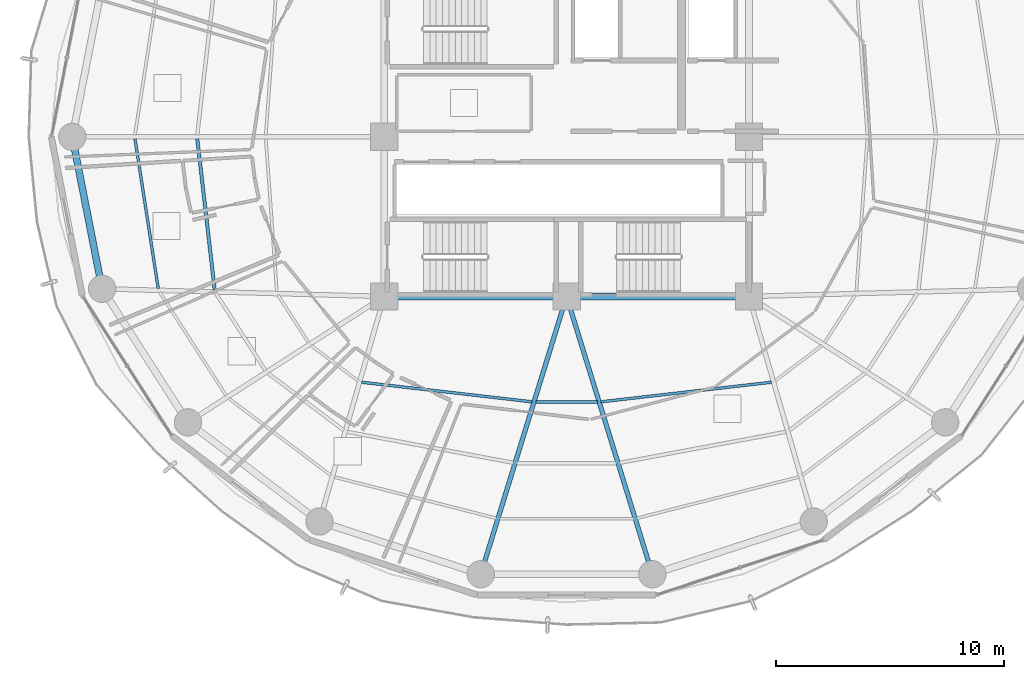
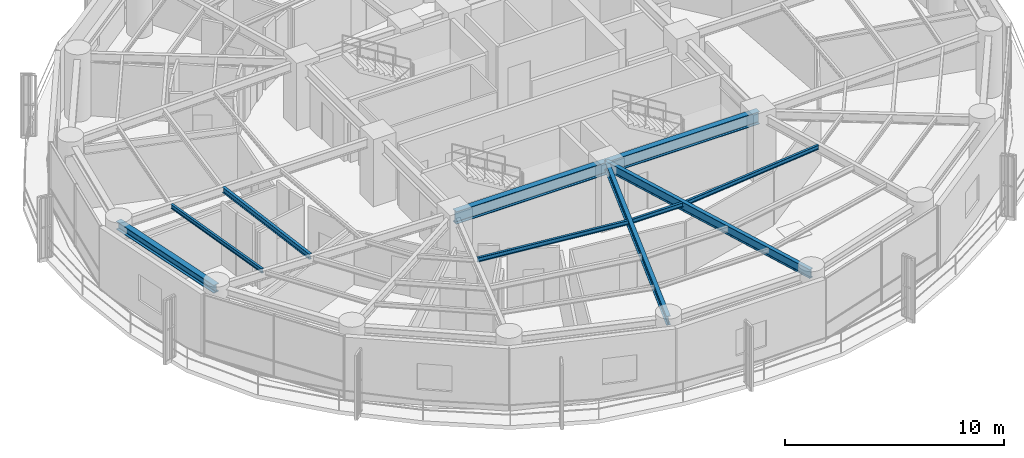
# One storey, part 5 of 27: 10 beams.
"""IFC4 building model written with IfcOpenShell, lengths in metres."""

import ifcopenshell
import ifcopenshell.guid

model = None  # the IFC model being written
_history = None  # IfcOwnerHistory: only IFC2X3 demands one
_inside = {}  # id of a spatial element -> (the spatial element, [elements in it])
_under = {}  # id of a project, library or spatial element -> (it, [spatial elements below it])
_declared = {}  # id of a project -> (the project, [libraries it declares])
_typed = {}  # id of a type object -> (the type object, [elements of that type])
_made_of = {}  # id of a material, layer set ... -> (it, [elements and type objects made of it])


def new_model(schema):
    """Start an empty IFC model of exactly this schema.

    Asked for "IFC4X3", IfcOpenShell would pick the latest addendum, in which some entities
    have other attributes; the version numbers below select the first issue.
    IFC2X3 requires an IfcOwnerHistory on every rooted entity: one is made here for all.
    """
    global model, _history
    if schema == "IFC4X3":
        model = ifcopenshell.file(schema_version=(4, 3, 0, 0))
    else:
        model = ifcopenshell.file(schema=schema)
    _inside.clear()
    _under.clear()
    _declared.clear()
    _typed.clear()
    _made_of.clear()
    _history = None
    if model.schema == "IFC2X3":
        org = make("IfcOrganization", Name="unknown")
        user = make(
            "IfcPersonAndOrganization",
            ThePerson=make("IfcPerson", FamilyName="unknown"),
            TheOrganization=org,
        )
        app = make(
            "IfcApplication",
            ApplicationDeveloper=org,
            Version="unknown",
            ApplicationFullName="unknown",
            ApplicationIdentifier="unknown",
        )
        _history = make(
            "IfcOwnerHistory",
            OwningUser=user,
            OwningApplication=app,
            ChangeAction="ADDED",
            CreationDate=0,
        )
    return model


def make(cls, **values):
    """One entity of the class cls with the attributes given. An attribute that is None is left unset."""
    return model.create_entity(
        cls, **{name: value for name, value in values.items() if value is not None}
    )


def rooted(cls, **values):
    """An entity with a GlobalId (a new one), such as an element, a storey or a relation."""
    return make(cls, GlobalId=ifcopenshell.guid.new(), OwnerHistory=_history, **values)


def si_unit(unit_type, name, prefix=None):
    """IfcSIUnit, for example si_unit("LENGTHUNIT", "METRE", prefix="MILLI")."""
    return make("IfcSIUnit", UnitType=unit_type, Prefix=prefix, Name=name)


def assignment(units):
    """IfcUnitAssignment: the units of a project."""
    return None if units is None else make("IfcUnitAssignment", Units=units)


def point(xyz):
    """IfcCartesianPoint."""
    return None if xyz is None else make("IfcCartesianPoint", Coordinates=xyz)


def direction(xyz):
    """IfcDirection."""
    return None if xyz is None else make("IfcDirection", DirectionRatios=xyz)


def frame(location, z_axis=None, x_axis=None):
    """IfcAxis2Placement3D, a coordinate frame: its origin and axes. An axis left out is left unset."""
    return make(
        "IfcAxis2Placement3D",
        Location=point(location),
        Axis=direction(z_axis),
        RefDirection=direction(x_axis),
    )


def frame_2d(location, x_axis=None):
    """IfcAxis2Placement2D, a coordinate frame in the plane: its origin and x axis."""
    return make(
        "IfcAxis2Placement2D", Location=point(location), RefDirection=direction(x_axis)
    )


def origin():
    """The frame at (0, 0, 0) with its axes left unset."""
    return frame((0.0, 0.0, 0.0))


def origin_2d():
    """The frame at (0, 0) in the plane with its x axis left unset."""
    return frame_2d((0.0, 0.0))


def place(relative_to, where):
    """IfcLocalPlacement: puts the frame where relative to a parent placement (None: the world)."""
    return make(
        "IfcLocalPlacement", PlacementRelTo=relative_to, RelativePlacement=where
    )


def context(
    kind, dimensions, precision=None, world=None, true_north=None, identifier=None
):
    """IfcGeometricRepresentationContext, for example the 3D "Model" context."""
    return make(
        "IfcGeometricRepresentationContext",
        ContextIdentifier=identifier,
        ContextType=kind,
        CoordinateSpaceDimension=dimensions,
        Precision=precision,
        WorldCoordinateSystem=world,
        TrueNorth=true_north,
    )


def subcontext(parent, identifier, kind, view, scale=None):
    """IfcGeometricRepresentationSubContext, for example "Body" below "Model"."""
    return make(
        "IfcGeometricRepresentationSubContext",
        ContextIdentifier=identifier,
        ContextType=kind,
        ParentContext=parent,
        TargetScale=scale,
        TargetView=view,
    )


def project(units=None, contexts=None):
    """IfcProject with its units and contexts."""
    return rooted(
        "IfcProject",
        Name="project",
        RepresentationContexts=contexts,
        UnitsInContext=assignment(units),
    )


def spatial(cls, under=None, at=None, **own):
    """A site, building, storey or space (cls), placed at a placement, below another one or the project."""
    s = rooted(cls, ObjectPlacement=at, **own)
    if under is not None:
        _under.setdefault(under.id(), (under, []))[1].append(s)
    return s


def profile(cls, at=None, kind="AREA", **sizes):
    """A parametric profile (cls). Its sizes go by their IFC names, for example OverallWidth=200.0."""
    return make(cls, ProfileType=kind, Position=at, **sizes)


def i_section(**sizes):
    """IfcIShapeProfileDef."""
    return profile("IfcIShapeProfileDef", **sizes)


def extrude(swept, where, along, depth):
    """IfcExtrudedAreaSolid: the profile swept, set in the frame where, extruded along a direction by depth."""
    return make(
        "IfcExtrudedAreaSolid",
        SweptArea=swept,
        Position=where,
        ExtrudedDirection=direction(along),
        Depth=depth,
    )


def shape(context_of_items, identifier, shape_type, items):
    """IfcShapeRepresentation: the items that make up one representation, for example the "Body"."""
    return make(
        "IfcShapeRepresentation",
        ContextOfItems=context_of_items,
        RepresentationIdentifier=identifier,
        RepresentationType=shape_type,
        Items=items,
    )


def material(Name=None, Category=None):
    """IfcMaterial."""
    return make("IfcMaterial", Name=Name, Category=Category)


def material_profile(
    of_material, cross_section, Name=None, Category=None, Priority=None
):
    """IfcMaterialProfile: a cross section and its material."""
    return make(
        "IfcMaterialProfile",
        Name=Name,
        Material=of_material,
        Profile=cross_section,
        Priority=Priority,
        Category=Category,
    )


def profile_set(profiles, Name=None, composite=None):
    """IfcMaterialProfileSet."""
    return make(
        "IfcMaterialProfileSet",
        Name=Name,
        MaterialProfiles=profiles,
        CompositeProfile=composite,
    )


def made_of(thing, what):
    """Note that an element or type object is made of a material, layer set ...; save() writes the relation."""
    if what is not None:
        _made_of.setdefault(what.id(), (what, []))[1].append(thing)
    return thing


def type_object(cls, material=None, **own):
    """A type object (cls), such as IfcWallType, which elements share."""
    return made_of(rooted(cls, **own), material)


def element(
    cls,
    number,
    at=None,
    inside=None,
    cuts=None,
    type_object=None,
    material=None,
    context=None,
    identifier="Body",
    shape_type=None,
    held_by="IfcProductDefinitionShape",
    body=None,
    shapes=None,
    **own,
):
    """One element of the class cls, such as IfcWall. Its Tag is "e" and its number.

    at: its placement. inside: the storey or other place that contains it. cuts: it is an
    opening in that element (IfcRelVoidsElement). A single representation is given by context,
    identifier, shape_type and body (its items); several are given by shapes. held_by: the class
    of the entity that holds the representations. save() writes the other relations.
    """
    e = rooted(cls, Tag="e%d" % number, ObjectPlacement=at, **own)
    if body is not None:
        shapes = [shape(context, identifier, shape_type, body)]
    if shapes is not None:
        e.Representation = make(held_by, Representations=shapes)
    if inside is not None:
        _inside.setdefault(inside.id(), (inside, []))[1].append(e)
    if cuts is not None:
        rooted(
            "IfcRelVoidsElement", RelatingBuildingElement=cuts, RelatedOpeningElement=e
        )
    if type_object is not None:
        _typed.setdefault(type_object.id(), (type_object, []))[1].append(e)
    return made_of(e, material)


def aggregate(whole, parts):
    """IfcRelAggregates: a whole, such as a stair, and the parts it consists of."""
    return rooted("IfcRelAggregates", RelatingObject=whole, RelatedObjects=parts)


def save(model, path):
    """Write the relations noted so far, then the file.

    IfcRelAggregates (storeys below a building ...), IfcRelContainedInSpatialStructure (elements
    in a storey), IfcRelDefinesByType, IfcRelAssociatesMaterial and IfcRelDeclares: one each for
    every whole, place, type object, material and project.
    """
    for whole, parts in _under.values():
        aggregate(whole, parts)
    for where, things in _inside.values():
        rooted(
            "IfcRelContainedInSpatialStructure",
            RelatedElements=things,
            RelatingStructure=where,
        )
    for kind, things in _typed.values():
        rooted("IfcRelDefinesByType", RelatedObjects=things, RelatingType=kind)
    for what, things in _made_of.values():
        rooted("IfcRelAssociatesMaterial", RelatedObjects=things, RelatingMaterial=what)
    for by, libraries in _declared.values():
        rooted("IfcRelDeclares", RelatingContext=by, RelatedDefinitions=libraries)
    model.write(path)


model = new_model("IFC4")

# Units and contexts
model_context = context("Model", 3, precision=1e-05, world=origin(), true_north=direction((0.0, 1.0)))
body_context = subcontext(model_context, "Body", "Model", "MODEL_VIEW")
ifc_project = project(units=[si_unit("LENGTHUNIT", "METRE"), si_unit("AREAUNIT", "SQUARE_METRE"), si_unit("VOLUMEUNIT", "CUBIC_METRE"), si_unit("PLANEANGLEUNIT", "RADIAN"), si_unit("MASSUNIT", "GRAM", prefix="KILO")], contexts=[model_context])

# Site, building, storey
site_placement = place(None, origin())
site = spatial("IfcSite", under=ifc_project, at=site_placement, CompositionType="ELEMENT")
building_placement = place(site_placement, origin())
building = spatial("IfcBuilding", under=site, at=building_placement, Name="Kelanora Arch Commons", CompositionType="ELEMENT")
storey_placement = place(building_placement, frame((0.0, 0.0, 154.35009765625)))
storey = spatial("IfcBuildingStorey", under=building, at=storey_placement, Name="L39", CompositionType="ELEMENT", Elevation=154.35009765625)

# Beams
ifc_material = material(Name="Steel S355", Category="steel")
ifc_material_profile_1 = material_profile(ifc_material, i_section(OverallWidth=0.300048828125, OverallDepth=0.699951171875, WebThickness=0.01708984375, FlangeThickness=0.031982421875, FilletRadius=0.027099609375, at=origin_2d()), Name="HEB700")
ifc_profile_set_1 = profile_set([ifc_material_profile_1], Name="Steel S355")
beam_type_1 = type_object("IfcBeamType", Name="BM-CORE-HDR", PredefinedType="BEAM", material=ifc_profile_set_1)
for number, where, z_axis, x_axis, name in (
    (1, (66.0, 51.0, 3.139892578125), (1.0, 0.0, 0.0), (0.0, 1.0, 0.0), "Core Header Beam 01 L39"),
    (2, (74.0, 51.0, 3.139892578125), (1.0, 0.0, 0.0), (0.0, 1.0, 0.0), "Core Header Beam 02 L39"),
):
    element("IfcBeam", number, at=place(storey_placement, frame(where, z_axis=z_axis, x_axis=x_axis)), inside=storey, type_object=beam_type_1, Name=name, PredefinedType="BEAM", context=body_context, shape_type="SweptSolid", body=[
        extrude(i_section(OverallWidth=0.300048828125, OverallDepth=0.699951171875, WebThickness=0.01708984375, FlangeThickness=0.031982421875, FilletRadius=0.027099609375, at=origin_2d()), origin(), (0.0, 0.0, 1.0), 8.0),
    ])
ifc_material_profile_2 = material_profile(ifc_material, i_section(OverallWidth=0.14990234375, OverallDepth=0.300048828125, WebThickness=0.007080078125, FlangeThickness=0.0107421875, FilletRadius=0.014892578125, at=origin_2d()), Name="IPE300")
ifc_profile_set_2 = profile_set([ifc_material_profile_2], Name="Steel S355")
beam_type_2 = type_object("IfcBeamType", Name="BM-JST-01", PredefinedType="JOIST", material=ifc_profile_set_2)
beam_1_placement = place(storey_placement, frame((57.8017578125, 57.91552734375, 3.33984375), z_axis=(0.114667159005, -0.9934039675, 0.0), x_axis=(0.9934039675, 0.114667159005, 0.0)))
element("IfcBeam", 3, at=beam_1_placement, inside=storey, type_object=beam_type_2, Name="Secondary Chord Joist BJB-18 L39", PredefinedType="JOIST", context=body_context, shape_type="SweptSolid", body=[
    extrude(i_section(OverallWidth=0.14990234375, OverallDepth=0.300048828125, WebThickness=0.007080078125, FlangeThickness=0.0107421875, FilletRadius=0.014892578125, at=origin_2d()), origin(), (0.0, 0.0, 1.0), 6.672607421875),
])
ifc_material_profile_3 = material_profile(ifc_material, i_section(OverallWidth=0.1201171875, OverallDepth=0.239990234375, WebThickness=0.006103515625, FlangeThickness=0.009765625, FilletRadius=0.014892578125, at=origin_2d()), Name="IPE240")
ifc_profile_set_3 = profile_set([ifc_material_profile_3], Name="Steel S355")
beam_type_3 = type_object("IfcBeamType", Name="BM-JST-02", PredefinedType="JOIST", material=ifc_profile_set_3)
beam_2_placement = place(storey_placement, frame((55.069091796875, 57.916015625, 3.369873046875), z_axis=(0.153562625853, -0.988138917329, 0.0), x_axis=(0.988138917329, 0.153562625853, 0.0)))
element("IfcBeam", 4, at=beam_2_placement, inside=storey, type_object=beam_type_3, Name="Secondary Chord Joist BJC-18 L39", PredefinedType="JOIST", context=body_context, shape_type="SweptSolid", body=[
    extrude(i_section(OverallWidth=0.1201171875, OverallDepth=0.239990234375, WebThickness=0.006103515625, FlangeThickness=0.009765625, FilletRadius=0.014892578125, at=origin_2d()), origin(), (0.0, 0.0, 1.0), 6.640869140625),
])
beam_3_placement = place(storey_placement, frame((65.005126953125, 47.239501953125, 3.369873046875), z_axis=(0.993457414184, -0.114203179475, 0.0), x_axis=(0.114203179475, 0.993457414184, 0.0)))
element("IfcBeam", 5, at=beam_3_placement, inside=storey, type_object=beam_type_3, Name="Secondary Chord Joist BJA-24 L39", PredefinedType="JOIST", context=body_context, shape_type="SweptSolid", body=[
    extrude(i_section(OverallWidth=0.1201171875, OverallDepth=0.239990234375, WebThickness=0.006103515625, FlangeThickness=0.009765625, FilletRadius=0.014892578125, at=origin_2d()), origin(), (0.0, 0.0, 1.0), 7.529296875),
])
beam_4_placement = place(storey_placement, frame((72.654296875, 46.3701171875, 3.369873046875), z_axis=(1.0, 0.0, 0.0), x_axis=(0.0, 1.0, 0.0)))
element("IfcBeam", 6, at=beam_4_placement, inside=storey, type_object=beam_type_3, Name="Secondary Chord Joist BJA-26 L39", PredefinedType="JOIST", context=body_context, shape_type="SweptSolid", body=[
    extrude(i_section(OverallWidth=0.1201171875, OverallDepth=0.239990234375, WebThickness=0.006103515625, FlangeThickness=0.009765625, FilletRadius=0.014892578125, at=origin_2d()), origin(), (0.0, 0.0, 1.0), 2.69140625),
])
beam_5_placement = place(storey_placement, frame((75.514892578125, 46.379638671875, 3.369873046875), z_axis=(0.993457414184, 0.114203179475, 0.0), x_axis=(-0.114203179475, 0.993457414184, 0.0)))
element("IfcBeam", 7, at=beam_5_placement, inside=storey, type_object=beam_type_3, Name="Secondary Chord Joist BJA-28 L39", PredefinedType="JOIST", context=body_context, shape_type="SweptSolid", body=[
    extrude(i_section(OverallWidth=0.1201171875, OverallDepth=0.239990234375, WebThickness=0.006103515625, FlangeThickness=0.009765625, FilletRadius=0.014892578125, at=origin_2d()), origin(), (0.0, 0.0, 1.0), 7.529296875),
])
ifc_material_profile_4 = material_profile(ifc_material, i_section(OverallWidth=0.199951171875, OverallDepth=0.5, WebThickness=0.01025390625, FlangeThickness=0.01611328125, FilletRadius=0.02099609375, at=origin_2d()), Name="IPE500")
ifc_profile_set_4 = profile_set([ifc_material_profile_4], Name="Steel S355")
beam_type_4 = type_object("IfcBeamType", Name="BM-RAD-Z3", PredefinedType="BEAM", material=ifc_profile_set_4)
for number, where, z_axis, x_axis, name in (
    (8, (74.0, 51.0, 3.239990234375), (-0.295210315095, -0.955432294755, 0.0), (0.955432294755, -0.295210315095, 0.0), "Radial Floor Girder BR-26 L39"),
    (9, (74.0, 51.0, 3.239990234375), (0.295210315095, -0.955432294755, 0.0), (0.955432294755, 0.295210315095, 0.0), "Radial Floor Girder BR-28 L39"),
):
    element("IfcBeam", number, at=place(storey_placement, frame(where, z_axis=z_axis, x_axis=x_axis)), inside=storey, type_object=beam_type_4, Name=name, PredefinedType="BEAM", context=body_context, shape_type="SweptSolid", body=[
        extrude(i_section(OverallWidth=0.199951171875, OverallDepth=0.5, WebThickness=0.01025390625, FlangeThickness=0.01611328125, FilletRadius=0.02099609375, at=origin_2d()), origin(), (0.0, 0.0, 1.0), 12.75244140625),
    ])
ifc_material_profile_5 = material_profile(ifc_material, i_section(OverallWidth=0.300048828125, OverallDepth=0.449951171875, WebThickness=0.013916015625, FlangeThickness=0.02587890625, FilletRadius=0.027099609375, at=origin_2d()), Name="HEB450")
ifc_profile_set_5 = profile_set([ifc_material_profile_5], Name="Steel S355")
beam_type_5 = type_object("IfcBeamType", Name="BM-SPN-Z3", PredefinedType="SPANDREL", material=ifc_profile_set_5)
beam_6_placement = place(storey_placement, frame((52.320068359375, 58.0, 3.264892578125), z_axis=(0.192553643556, -0.981286448675, 0.0), x_axis=(0.981286448675, 0.192553643556, 0.0)))
element("IfcBeam", 10, at=beam_6_placement, inside=storey, type_object=beam_type_5, Name="Perimeter Spandrel Beam BS-18 L39", PredefinedType="SPANDREL", context=body_context, shape_type="SweptSolid", body=[
    extrude(i_section(OverallWidth=0.300048828125, OverallDepth=0.449951171875, WebThickness=0.013916015625, FlangeThickness=0.02587890625, FilletRadius=0.027099609375, at=origin_2d()), origin(), (0.0, 0.0, 1.0), 6.78955078125),
])

save(model, "model.ifc")
